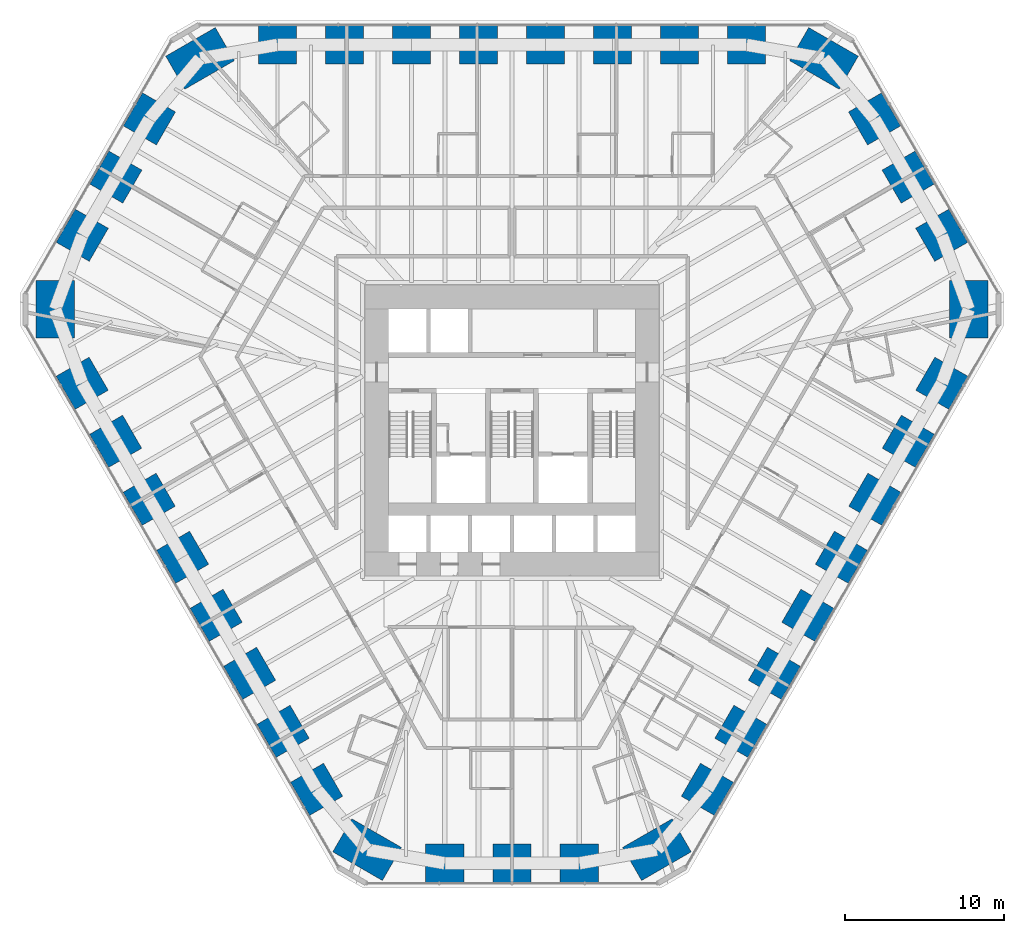
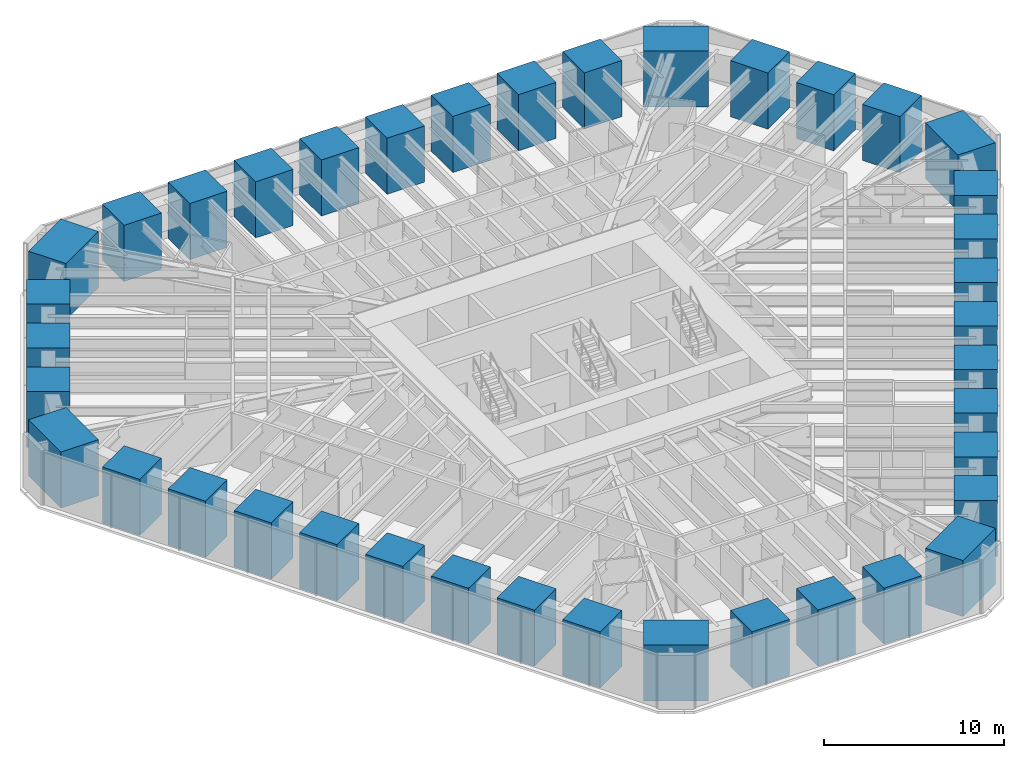
# One storey, part 1 of 17: 39 columns.
"""IFC4 building model written with IfcOpenShell, lengths in metres."""

from ifc_helpers import new_model, si_unit, direction, frame, origin, origin_2d, place, context, subcontext, project, spatial, rectangle, extrude, material, material_profile, profile_set, type_object, element, save


model = new_model("IFC4")

# Units and contexts
model_context = context("Model", 3, precision=1e-05, world=origin(), true_north=direction((0.0, 1.0)))
body_context = subcontext(model_context, "Body", "Model", "MODEL_VIEW")
ifc_project = project(units=[si_unit("LENGTHUNIT", "METRE"), si_unit("AREAUNIT", "SQUARE_METRE"), si_unit("VOLUMEUNIT", "CUBIC_METRE"), si_unit("PLANEANGLEUNIT", "RADIAN"), si_unit("MASSUNIT", "GRAM", prefix="KILO")], contexts=[model_context])

# Site, building, storey
site_placement = place(None, origin())
site = spatial("IfcSite", under=ifc_project, at=site_placement, CompositionType="ELEMENT")
building_placement = place(site_placement, origin())
building = spatial("IfcBuilding", under=site, at=building_placement, Name="Sandreach Pilgrim Tower", CompositionType="ELEMENT")
storey_placement = place(building_placement, frame((0.0, 0.0, 38.199951171875)))
storey = spatial("IfcBuildingStorey", under=building, at=storey_placement, Name="L08", CompositionType="ELEMENT", Elevation=38.199951171875)

# Columns
ifc_material_1 = material(Name="Concrete 10000 psi", Category="concrete")
ifc_material_profile_1 = material_profile(ifc_material_1, rectangle(XDim=2.39990234375, YDim=2.39990234375, at=origin_2d()), Name="RC2400X2400")
ifc_profile_set_1 = profile_set([ifc_material_profile_1], Name="Concrete 10000 psi")
column_type_1 = type_object("IfcColumnType", Name="Tube column RC2400X2400", PredefinedType="COLUMN", material=ifc_profile_set_1)
for number, where, z_axis, x_axis, name in (
    (1, (-14.734619140625, 22.688720703125, 0.0), (0.0, 0.0, 1.0), (0.0, 1.0, 0.0), "COL L08 T01"),
    (2, (-10.52490234375, 22.688720703125, 0.0), (0.0, 0.0, 1.0), (0.0, 1.0, 0.0), "COL L08 T02"),
    (3, (-6.31494140625, 22.688720703125, 0.0), (0.0, 0.0, 1.0), (0.0, 1.0, 0.0), "COL L08 T03"),
    (4, (-2.10498046875, 22.688720703125, 0.0), (0.0, 0.0, 1.0), (0.0, 1.0, 0.0), "COL L08 T04"),
    (5, (2.10498046875, 22.688720703125, 0.0), (0.0, 0.0, 1.0), (0.0, 1.0, 0.0), "COL L08 T05"),
    (6, (6.31494140625, 22.688720703125, 0.0), (0.0, 0.0, 1.0), (0.0, 1.0, 0.0), "COL L08 T06"),
    (7, (10.52490234375, 22.688720703125, 0.0), (0.0, 0.0, 1.0), (0.0, 1.0, 0.0), "COL L08 T07"),
    (8, (14.734619140625, 22.688720703125, 0.0), (0.0, 0.0, 1.0), (0.0, 1.0, 0.0), "COL L08 T08"),
    (9, (22.787841796875, 18.031982421875, 0.0), (0.0, 0.0, 1.0), (0.866025403784, 0.5, 0.0), "COL L08 T10"),
    (10, (24.89892578125, 14.37548828125, 0.0), (0.0, 0.0, 1.0), (0.866025403784, 0.5, 0.0), "COL L08 T11"),
    (11, (27.01025390625, 10.71875, 0.0), (0.0, 0.0, 1.0), (0.866025403784, 0.5, 0.0), "COL L08 T12"),
    (12, (27.016357421875, 1.416259765625, 0.0), (0.0, 0.0, 1.0), (0.866025403784, -0.5, 0.0), "COL L08 T14"),
    (13, (24.911376953125, -2.229736328125, 0.0), (0.0, 0.0, 1.0), (0.866025403784, -0.5, 0.0), "COL L08 T15"),
    (14, (22.806396484375, -5.87548828125, 0.0), (0.0, 0.0, 1.0), (0.866025403784, -0.5, 0.0), "COL L08 T16"),
    (15, (20.701416015625, -9.521484375, 0.0), (0.0, 0.0, 1.0), (0.866025403784, -0.5, 0.0), "COL L08 T17"),
    (16, (18.596435546875, -13.167236328125, 0.0), (0.0, 0.0, 1.0), (0.866025403784, -0.5, 0.0), "COL L08 T18"),
    (17, (16.491455078125, -16.813232421875, 0.0), (0.0, 0.0, 1.0), (0.866025403784, -0.5, 0.0), "COL L08 T19"),
    (18, (14.38671875, -20.458984375, 0.0), (0.0, 0.0, 1.0), (0.866025403784, -0.5, 0.0), "COL L08 T20"),
    (19, (12.28173828125, -24.10498046875, 0.0), (0.0, 0.0, 1.0), (0.866025403784, -0.5, 0.0), "COL L08 T21"),
    (20, (4.222412109375, -28.7509765625, 0.0), (0.0, 0.0, 1.0), (0.0, -1.0, 0.0), "COL L08 T23"),
    (21, (0.0, -28.7509765625, 0.0), (0.0, 0.0, 1.0), (0.0, -1.0, 0.0), "COL L08 T24"),
    (22, (-4.222412109375, -28.7509765625, 0.0), (0.0, 0.0, 1.0), (0.0, -1.0, 0.0), "COL L08 T25"),
    (23, (-12.28173828125, -24.10498046875, 0.0), (0.0, 0.0, 1.0), (-0.866025403784, -0.5, 0.0), "COL L08 T27"),
    (24, (-14.38671875, -20.458984375, 0.0), (0.0, 0.0, 1.0), (-0.866025403784, -0.5, 0.0), "COL L08 T28"),
    (25, (-16.491455078125, -16.813232421875, 0.0), (0.0, 0.0, 1.0), (-0.866025403784, -0.5, 0.0), "COL L08 T29"),
    (26, (-18.596435546875, -13.167236328125, 0.0), (0.0, 0.0, 1.0), (-0.866025403784, -0.5, 0.0), "COL L08 T30"),
    (27, (-20.701416015625, -9.521484375, 0.0), (0.0, 0.0, 1.0), (-0.866025403784, -0.5, 0.0), "COL L08 T31"),
    (28, (-22.806396484375, -5.87548828125, 0.0), (0.0, 0.0, 1.0), (-0.866025403784, -0.5, 0.0), "COL L08 T32"),
    (29, (-24.911376953125, -2.229736328125, 0.0), (0.0, 0.0, 1.0), (-0.866025403784, -0.5, 0.0), "COL L08 T33"),
    (30, (-27.016357421875, 1.416259765625, 0.0), (0.0, 0.0, 1.0), (-0.866025403784, -0.5, 0.0), "COL L08 T34"),
    (31, (-27.01025390625, 10.71875, 0.0), (0.0, 0.0, 1.0), (-0.866025403784, 0.5, 0.0), "COL L08 T36"),
    (32, (-24.89892578125, 14.37548828125, 0.0), (0.0, 0.0, 1.0), (-0.866025403784, 0.5, 0.0), "COL L08 T37"),
    (33, (-22.787841796875, 18.031982421875, 0.0), (0.0, 0.0, 1.0), (-0.866025403784, 0.5, 0.0), "COL L08 T38"),
):
    element("IfcColumn", number, at=place(storey_placement, frame(where, z_axis=z_axis, x_axis=x_axis)), inside=storey, type_object=column_type_1, Name=name, PredefinedType="COLUMN", context=body_context, shape_type="SweptSolid", body=[
        extrude(rectangle(XDim=2.39990234375, YDim=2.39990234375, at=origin_2d()), origin(), (0.0, 0.0, 1.0), 3.800048828125),
    ])
ifc_material_2 = material(Name="Concrete 10000 psi", Category="concrete")
ifc_material_profile_2 = material_profile(ifc_material_2, rectangle(XDim=2.39990234375, YDim=3.60009765625, at=origin_2d()), Name="RC2400X3600")
ifc_profile_set_2 = profile_set([ifc_material_profile_2], Name="Concrete 10000 psi")
column_type_2 = type_object("IfcColumnType", Name="Tube corner pier RC2400X3600", PredefinedType="COLUMN", material=ifc_profile_set_2)
for number, where, z_axis, x_axis, name in (
    (34, (19.6064453125, 21.834716796875, 0.0), (0.0, 0.0, 1.0), (0.5, 0.866025403784, 0.0), "COL L08 T09"),
    (35, (28.712646484375, 6.062255859375, 0.0), (0.0, 0.0, 1.0), (1.0, 0.0, 0.0), "COL L08 T13"),
    (36, (9.1064453125, -27.89697265625, 0.0), (0.0, 0.0, 1.0), (0.5, -0.866025403784, 0.0), "COL L08 T22"),
    (37, (-9.1064453125, -27.89697265625, 0.0), (0.0, 0.0, 1.0), (-0.5, -0.866025403784, 0.0), "COL L08 T26"),
    (38, (-28.712646484375, 6.062255859375, 0.0), (0.0, 0.0, 1.0), (-1.0, 0.0, 0.0), "COL L08 T35"),
    (39, (-19.6064453125, 21.834716796875, 0.0), (0.0, 0.0, 1.0), (-0.5, 0.866025403784, 0.0), "COL L08 T39"),
):
    element("IfcColumn", number, at=place(storey_placement, frame(where, z_axis=z_axis, x_axis=x_axis)), inside=storey, type_object=column_type_2, Name=name, PredefinedType="COLUMN", context=body_context, shape_type="SweptSolid", body=[
        extrude(rectangle(XDim=2.39990234375, YDim=3.60009765625, at=origin_2d()), origin(), (0.0, 0.0, 1.0), 3.800048828125),
    ])

save(model, "model.ifc")
